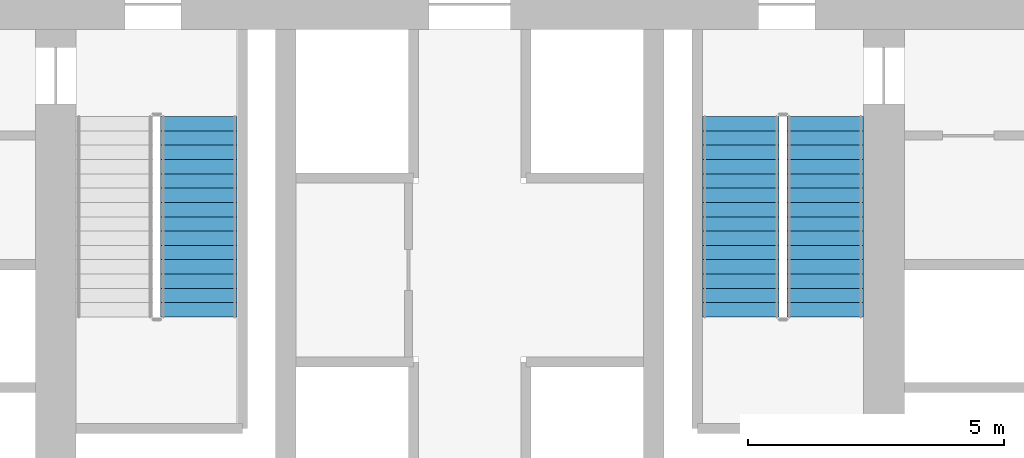
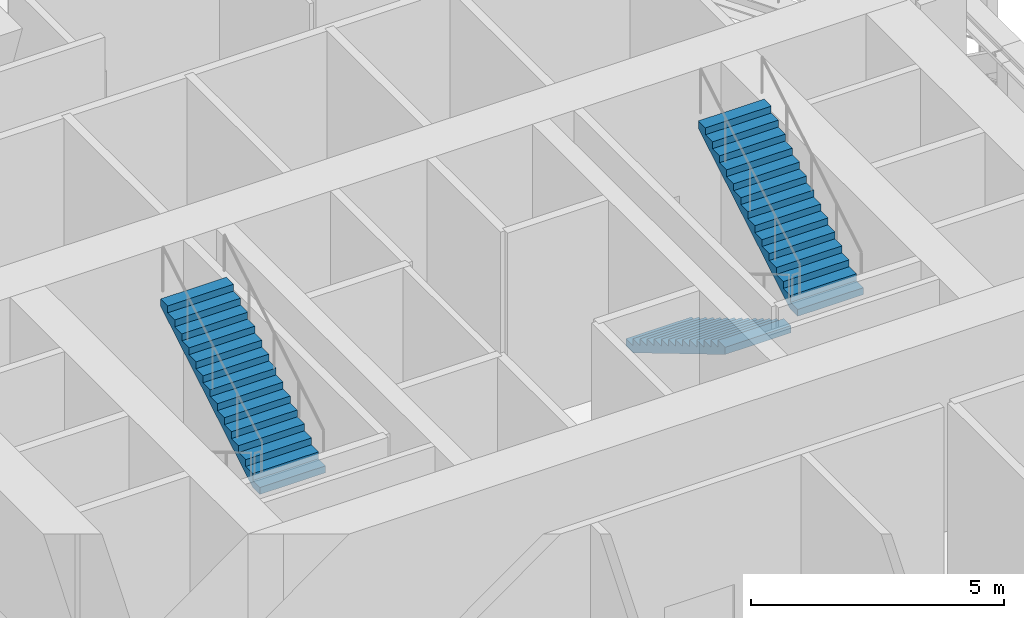
# One storey, part 12 of 22: 3 stair flights, 2 elements without a shape of their own.
"""IFC4 building model written with IfcOpenShell, lengths in metres."""

from ifc_helpers import new_model, si_unit, direction, frame, origin, place, context, subcontext, project, spatial, polyline, outline, extrude, material, type_object, element, aggregate, save


model = new_model("IFC4")

# Units and contexts
model_context = context("Model", 3, precision=1e-05, world=origin(), true_north=direction((0.0, 1.0)))
body_context = subcontext(model_context, "Body", "Model", "MODEL_VIEW")
ifc_project = project(units=[si_unit("LENGTHUNIT", "METRE"), si_unit("AREAUNIT", "SQUARE_METRE"), si_unit("VOLUMEUNIT", "CUBIC_METRE"), si_unit("PLANEANGLEUNIT", "RADIAN"), si_unit("MASSUNIT", "GRAM", prefix="KILO")], contexts=[model_context])

# Site, building, storey
site_placement = place(None, origin())
site = spatial("IfcSite", under=ifc_project, at=site_placement, CompositionType="ELEMENT")
building_placement = place(site_placement, origin())
building = spatial("IfcBuilding", under=site, at=building_placement, Name="Ostrander Bayou Hotel Tower", CompositionType="ELEMENT")
storey_placement = place(building_placement, frame((0.0, 0.0, 146.0)))
storey = spatial("IfcBuildingStorey", under=building, at=storey_placement, Name="L36", CompositionType="ELEMENT", Elevation=146.0)

# Stair, stair flight
ifc_material_1 = material(Name="Concrete f'c 45 MPa", Category="concrete")
stair_type = type_object("IfcStairType", Name="ST1 exit stair 1500 mm f'c 45 MPa", PredefinedType="HALF_TURN_STAIR", material=ifc_material_1)
stair_1_placement = place(storey_placement, origin())
stair_1 = element("IfcStair", 1, at=stair_1_placement, inside=storey, type_object=stair_type, Name="L36 exit stair A", PredefinedType="HALF_TURN_STAIR")
ifc_material_2 = material(Name="Concrete f'c 45 MPa", Category="concrete")
stair_flight_type = type_object("IfcStairFlightType", Name="SF1 stair flight 1500 mm f'c 45 MPa", PredefinedType="STRAIGHT", material=ifc_material_2)
stair_flight_1_placement = place(storey_placement, frame((-5.300048828125, 3.080078125, 2.5), z_axis=(0.0, 0.0, 1.0), x_axis=(0.0, 1.0, 0.0)))
stair_flight_1 = element("IfcStairFlight", 2, at=stair_flight_1_placement, type_object=stair_flight_type, Name="STA flight 2", NumberOfRisers=15, NumberOfTreads=14, PredefinedType="STRAIGHT", RiserHeight=0.166666667, TreadLength=0.28, context=body_context, shape_type="SweptSolid", body=[
    extrude(outline(polyline([(0.0, 0.0), (0.0, 0.166748046875), (0.280029296875, 0.166748046875), (0.280029296875, 0.333251953125), (0.56005859375, 0.333251953125), (0.56005859375, 0.5), (0.840087890625, 0.5), (0.840087890625, 0.666748046875), (1.1201171875, 0.666748046875), (1.1201171875, 0.833251953125), (1.39990234375, 0.833251953125), (1.39990234375, 1.0), (1.679931640625, 1.0), (1.679931640625, 1.166748046875), (1.9599609375, 1.166748046875), (1.9599609375, 1.333251953125), (2.239990234375, 1.333251953125), (2.239990234375, 1.5), (2.52001953125, 1.5), (2.52001953125, 1.666748046875), (2.800048828125, 1.666748046875), (2.800048828125, 1.833251953125), (3.080078125, 1.833251953125), (3.080078125, 2.0), (3.360107421875, 2.0), (3.360107421875, 2.166748046875), (3.639892578125, 2.166748046875), (3.639892578125, 2.333251953125), (3.919921875, 2.333251953125), (3.919921875, 2.5), (3.919921875, 2.158935546875), (0.29296875, 0.0), (0.0, 0.0)])), frame((0.0, 0.75, 0.0), z_axis=(0.0, -1.0, 0.0), x_axis=(1.0, 0.0, 0.0)), (0.0, 0.0, 1.0), 1.5),
])
aggregate(stair_1, [stair_flight_1])

# Stair, stair flights
stair_2_placement = place(storey_placement, origin())
stair_2 = element("IfcStair", 3, at=stair_2_placement, inside=storey, type_object=stair_type, Name="L36 exit stair B", PredefinedType="HALF_TURN_STAIR")
stair_flight_2_placement = place(storey_placement, frame((5.300048828125, 7.0, 0.0), z_axis=(0.0, 0.0, 1.0), x_axis=(0.0, -1.0, 0.0)))
stair_flight_2 = element("IfcStairFlight", 4, at=stair_flight_2_placement, type_object=stair_flight_type, Name="STB flight 1", NumberOfRisers=15, NumberOfTreads=14, PredefinedType="STRAIGHT", RiserHeight=0.166666667, TreadLength=0.28, context=body_context, shape_type="SweptSolid", body=[
    extrude(outline(polyline([(0.0, 0.0), (0.0, 0.166748046875), (0.280029296875, 0.166748046875), (0.280029296875, 0.333251953125), (0.56005859375, 0.333251953125), (0.56005859375, 0.5), (0.840087890625, 0.5), (0.840087890625, 0.666748046875), (1.1201171875, 0.666748046875), (1.1201171875, 0.833251953125), (1.39990234375, 0.833251953125), (1.39990234375, 1.0), (1.679931640625, 1.0), (1.679931640625, 1.166748046875), (1.9599609375, 1.166748046875), (1.9599609375, 1.333251953125), (2.239990234375, 1.333251953125), (2.239990234375, 1.5), (2.52001953125, 1.5), (2.52001953125, 1.666748046875), (2.800048828125, 1.666748046875), (2.800048828125, 1.833251953125), (3.080078125, 1.833251953125), (3.080078125, 2.0), (3.360107421875, 2.0), (3.360107421875, 2.166748046875), (3.639892578125, 2.166748046875), (3.639892578125, 2.333251953125), (3.919921875, 2.333251953125), (3.919921875, 2.5), (3.919921875, 2.158935546875), (0.29296875, 0.0), (0.0, 0.0)])), frame((0.0, 0.75, 0.0), z_axis=(0.0, -1.0, 0.0), x_axis=(1.0, 0.0, 0.0)), (0.0, 0.0, 1.0), 1.5),
])
stair_flight_3_placement = place(storey_placement, frame((6.949951171875, 3.080078125, 2.5), z_axis=(0.0, 0.0, 1.0), x_axis=(0.0, 1.0, 0.0)))
stair_flight_3 = element("IfcStairFlight", 5, at=stair_flight_3_placement, type_object=stair_flight_type, Name="STB flight 2", NumberOfRisers=15, NumberOfTreads=14, PredefinedType="STRAIGHT", RiserHeight=0.166666667, TreadLength=0.28, context=body_context, shape_type="SweptSolid", body=[
    extrude(outline(polyline([(0.0, 0.0), (0.0, 0.166748046875), (0.280029296875, 0.166748046875), (0.280029296875, 0.333251953125), (0.56005859375, 0.333251953125), (0.56005859375, 0.5), (0.840087890625, 0.5), (0.840087890625, 0.666748046875), (1.1201171875, 0.666748046875), (1.1201171875, 0.833251953125), (1.39990234375, 0.833251953125), (1.39990234375, 1.0), (1.679931640625, 1.0), (1.679931640625, 1.166748046875), (1.9599609375, 1.166748046875), (1.9599609375, 1.333251953125), (2.239990234375, 1.333251953125), (2.239990234375, 1.5), (2.52001953125, 1.5), (2.52001953125, 1.666748046875), (2.800048828125, 1.666748046875), (2.800048828125, 1.833251953125), (3.080078125, 1.833251953125), (3.080078125, 2.0), (3.360107421875, 2.0), (3.360107421875, 2.166748046875), (3.639892578125, 2.166748046875), (3.639892578125, 2.333251953125), (3.919921875, 2.333251953125), (3.919921875, 2.5), (3.919921875, 2.158935546875), (0.29296875, 0.0), (0.0, 0.0)])), frame((0.0, 0.75, 0.0), z_axis=(0.0, -1.0, 0.0), x_axis=(1.0, 0.0, 0.0)), (0.0, 0.0, 1.0), 1.5),
])
aggregate(stair_2, [stair_flight_2, stair_flight_3])

save(model, "model.ifc")
